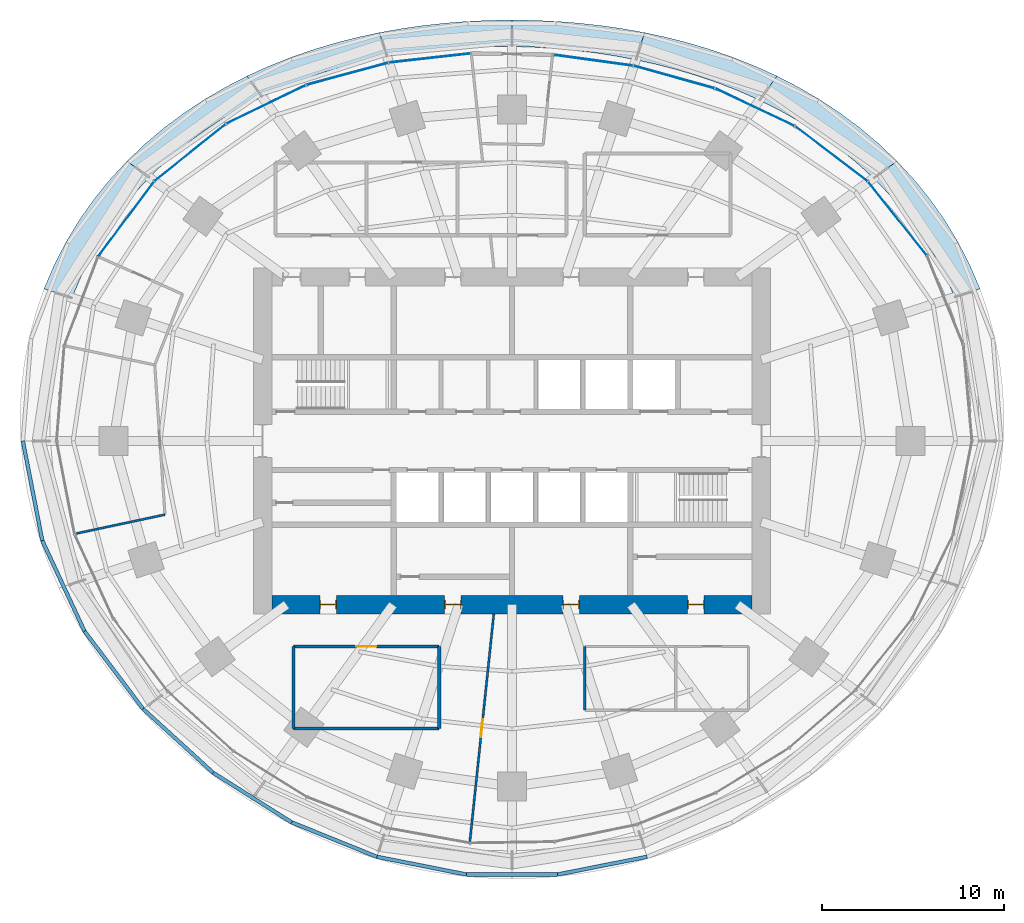
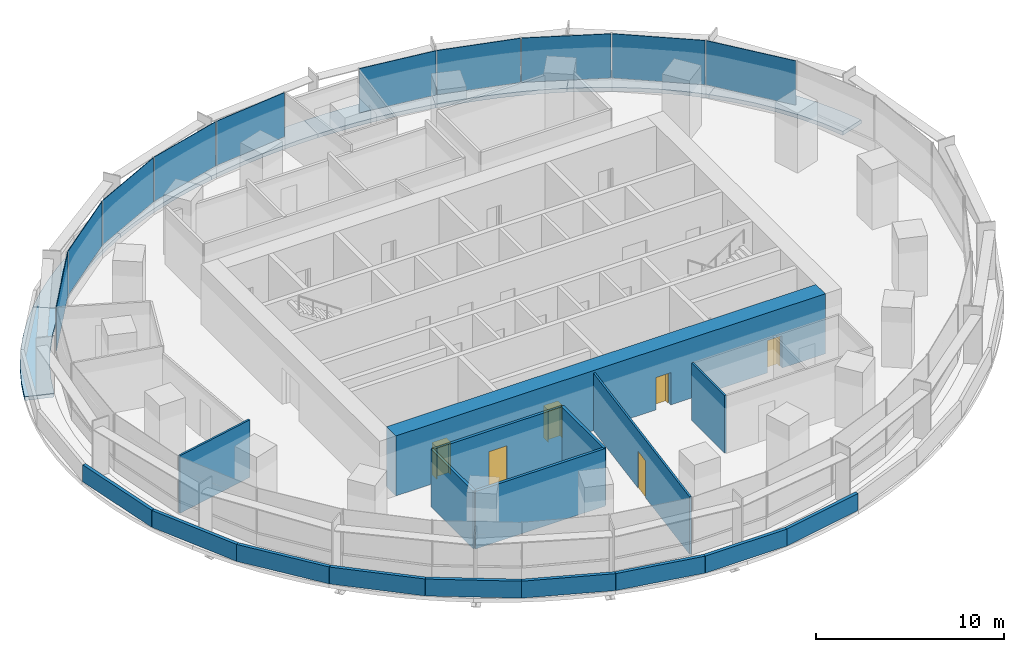
# One storey, part 10 of 15: 17 walls, 10 plates, 8 slabs, 6 doors, 6 openings, 4 elements without a shape of their own.
"""IFC4 building model written with IfcOpenShell, lengths in metres."""

from ifc_helpers import new_model, si_unit, direction, frame, frame_2d, origin, origin_2d, place, context, subcontext, project, spatial, polyline, rectangle, outline, extrude, material, layer, layer_set, type_object, element, fill, aggregate, save


model = new_model("IFC4")

# Units and contexts
model_context = context("Model", 3, precision=1e-05, world=origin(), true_north=direction((0.0, 1.0)))
body_context = subcontext(model_context, "Body", "Model", "MODEL_VIEW")
ifc_project = project(units=[si_unit("LENGTHUNIT", "METRE"), si_unit("AREAUNIT", "SQUARE_METRE"), si_unit("VOLUMEUNIT", "CUBIC_METRE"), si_unit("PLANEANGLEUNIT", "RADIAN"), si_unit("MASSUNIT", "GRAM", prefix="KILO")], contexts=[model_context])

# Site, building, storey
site_placement = place(None, origin())
site = spatial("IfcSite", under=ifc_project, at=site_placement, CompositionType="ELEMENT")
building_placement = place(site_placement, origin())
building = spatial("IfcBuilding", under=site, at=building_placement, Name="Marramba Exchange Tower", CompositionType="ELEMENT")
storey_placement = place(building_placement, frame((0.0, 0.0, 92.39990234375)))
storey = spatial("IfcBuildingStorey", under=building, at=storey_placement, Name="L21", CompositionType="ELEMENT", Elevation=92.39990234375)

# Curtain wall, plates
ifc_material_1 = material(Name="Aluminium framing, bronze anodised", Category="aluminium")
curtain_wall_type = type_object("IfcCurtainWallType", Name="Office ribbon curtain wall", PredefinedType="USERDEFINED", material=ifc_material_1)
curtain_wall_1_placement = place(storey_placement, origin())
curtain_wall_1 = element("IfcCurtainWall", 1, at=curtain_wall_1_placement, inside=storey, type_object=curtain_wall_type, Name="Curtain wall CW4 L21 F01-F05", ObjectType="RIBBON CURTAIN WALL", PredefinedType="USERDEFINED")
ifc_material_2 = material(Name="Laminated double glazed unit 10.76 + 16 + 10.76, bronze tinted", Category="glass")
ifc_layer_1 = layer(ifc_material_2, 0.03759765625)
ifc_layer_set_1 = layer_set([ifc_layer_1], Name="Office ribbon curtain wall panel")
plate_type = type_object("IfcPlateType", Name="Office ribbon curtain wall panel", PredefinedType="CURTAIN_PANEL", material=ifc_layer_set_1)
plate_1_placement = place(storey_placement, frame((21.18212890625, 12.217529296875, 0.860107421875), z_axis=(0.0, 0.0, 1.0), x_axis=(-0.621312004611, 0.783563266703, 0.0)))
plate_1 = element("IfcPlate", 2, at=plate_1_placement, type_object=plate_type, Name="CW4 vision panel", PredefinedType="CURTAIN_PANEL", context=body_context, shape_type="SweptSolid", body=[
    extrude(rectangle(XDim=5.136962890625, YDim=0.03759765625, at=origin_2d()), origin(), (0.0, 0.0, 1.0), 2.8798828125),
])
plate_2_placement = place(storey_placement, frame((17.55224609375, 15.777099609375, 0.860107421875), z_axis=(0.0, 0.0, 1.0), x_axis=(-0.795971748366, 0.60533377223, 0.0)))
plate_2 = element("IfcPlate", 3, at=plate_2_placement, type_object=plate_type, Name="CW4 vision panel", PredefinedType="CURTAIN_PANEL", context=body_context, shape_type="SweptSolid", body=[
    extrude(rectangle(XDim=4.990966796875, YDim=0.03759765625, at=origin_2d()), origin(), (0.0, 0.0, 1.0), 2.8798828125),
])
plate_3_placement = place(storey_placement, frame((13.34423828125, 18.3359375, 0.860107421875), z_axis=(0.0, 0.0, 1.0), x_axis=(-0.904403137485, 0.426678995157, 0.0)))
plate_3 = element("IfcPlate", 4, at=plate_3_placement, type_object=plate_type, Name="CW4 vision panel", PredefinedType="CURTAIN_PANEL", context=body_context, shape_type="SweptSolid", body=[
    extrude(rectangle(XDim=4.793212890625, YDim=0.03759765625, at=origin_2d()), origin(), (0.0, 0.0, 1.0), 2.8798828125),
])
aggregate(curtain_wall_1, [plate_1, plate_2, plate_3])

curtain_wall_2_placement = place(storey_placement, origin())
curtain_wall_2 = element("IfcCurtainWall", 5, at=curtain_wall_2_placement, inside=storey, type_object=curtain_wall_type, Name="Curtain wall CW4 L21 F06-F07", ObjectType="RIBBON CURTAIN WALL", PredefinedType="USERDEFINED")
plate_4_placement = place(storey_placement, frame((8.907470703125, 19.991943359375, 0.860107421875), z_axis=(0.0, 0.0, 1.0), x_axis=(-0.963177845956, 0.268865090816, 0.0)))
plate_4 = element("IfcPlate", 6, at=plate_4_placement, type_object=plate_type, Name="CW4 vision panel", PredefinedType="CURTAIN_PANEL", context=body_context, shape_type="SweptSolid", body=[
    extrude(rectangle(XDim=4.591552734375, YDim=0.03759765625, at=origin_2d()), origin(), (0.0, 0.0, 1.0), 2.8798828125),
])
plate_5_placement = place(storey_placement, frame((4.46337890625, 20.915283203125, 0.860107421875), z_axis=(0.0, 0.0, 1.0), x_axis=(-0.990738212841, 0.135785837319, 0.0)))
plate_5 = element("IfcPlate", 7, at=plate_5_placement, type_object=plate_type, Name="CW4 vision panel", PredefinedType="CURTAIN_PANEL", context=body_context, shape_type="SweptSolid", body=[
    extrude(rectangle(XDim=4.3876953125, YDim=0.03759765625, at=origin_2d()), origin(), (0.0, 0.0, 1.0), 2.8798828125),
])
aggregate(curtain_wall_2, [plate_4, plate_5])

curtain_wall_3_placement = place(storey_placement, origin())
curtain_wall_3 = element("IfcCurtainWall", 8, at=curtain_wall_3_placement, inside=storey, type_object=curtain_wall_type, Name="Curtain wall CW4 L21 F09-F10", ObjectType="RIBBON CURTAIN WALL", PredefinedType="USERDEFINED")
plate_6_placement = place(storey_placement, frame((-4.52587890625, 21.0361328125, 0.860107421875), z_axis=(0.0, 0.0, 1.0), x_axis=(-0.993823395532, -0.110973233233, 0.0)))
plate_6 = element("IfcPlate", 9, at=plate_6_placement, type_object=plate_type, Name="CW4 vision panel", PredefinedType="CURTAIN_PANEL", context=body_context, shape_type="SweptSolid", body=[
    extrude(rectangle(XDim=4.484375, YDim=0.03759765625, at=origin_2d()), origin(), (0.0, 0.0, 1.0), 2.8798828125),
])
plate_7_placement = place(storey_placement, frame((-9.053466796875, 20.16748046875, 0.860107421875), z_axis=(0.0, 0.0, 1.0), x_axis=(-0.965522047176, -0.260321294588, 0.0)))
plate_7 = element("IfcPlate", 10, at=plate_7_placement, type_object=plate_type, Name="CW4 vision panel", PredefinedType="CURTAIN_PANEL", context=body_context, shape_type="SweptSolid", body=[
    extrude(rectangle(XDim=4.642578125, YDim=0.03759765625, at=origin_2d()), origin(), (0.0, 0.0, 1.0), 2.8798828125),
])
aggregate(curtain_wall_3, [plate_6, plate_7])

curtain_wall_4_placement = place(storey_placement, origin())
curtain_wall_4 = element("IfcCurtainWall", 11, at=curtain_wall_4_placement, inside=storey, type_object=curtain_wall_type, Name="Curtain wall CW4 L21 F11-F15", ObjectType="RIBBON CURTAIN WALL", PredefinedType="USERDEFINED")
plate_8_placement = place(storey_placement, frame((-13.52294921875, 18.4853515625, 0.860107421875), z_axis=(0.0, 0.0, 1.0), x_axis=(-0.900223739881, -0.435427626771, 0.0)))
plate_8 = element("IfcPlate", 12, at=plate_8_placement, type_object=plate_type, Name="CW4 vision panel", PredefinedType="CURTAIN_PANEL", context=body_context, shape_type="SweptSolid", body=[
    extrude(rectangle(XDim=4.83056640625, YDim=0.03759765625, at=origin_2d()), origin(), (0.0, 0.0, 1.0), 2.8798828125),
])
plate_9_placement = place(storey_placement, frame((-17.696533203125, 15.8359375, 0.860107421875), z_axis=(0.0, 0.0, 1.0), x_axis=(-0.78117833008, -0.624307950145, 0.0)))
plate_9 = element("IfcPlate", 13, at=plate_9_placement, type_object=plate_type, Name="CW4 vision panel", PredefinedType="CURTAIN_PANEL", context=body_context, shape_type="SweptSolid", body=[
    extrude(rectangle(XDim=4.998291015625, YDim=0.03759765625, at=origin_2d()), origin(), (0.0, 0.0, 1.0), 2.8798828125),
])
plate_10_placement = place(storey_placement, frame((-21.213623046875, 12.1767578125, 0.860107421875), z_axis=(0.0, 0.0, 1.0), x_axis=(-0.597703997504, -0.80171686484, 0.0)))
plate_10 = element("IfcPlate", 14, at=plate_10_placement, type_object=plate_type, Name="CW4 vision panel", PredefinedType="CURTAIN_PANEL", context=body_context, shape_type="SweptSolid", body=[
    extrude(rectangle(XDim=5.116455078125, YDim=0.03759765625, at=origin_2d()), origin(), (0.0, 0.0, 1.0), 2.8798828125),
])
aggregate(curtain_wall_4, [plate_8, plate_9, plate_10])

# Slabs
ifc_material_3 = material(Name="Concrete N40", Category="concrete")
ifc_layer_2 = layer(ifc_material_3, 0.25)
ifc_layer_set_2 = layer_set([ifc_layer_2], Name="Setback roof slab 250")
slab_type = type_object("IfcSlabType", Name="Setback roof slab 250", PredefinedType="ROOF", material=ifc_layer_set_2)
slab_1_placement = place(storey_placement, frame((0.0, 0.0, -0.25)))
element("IfcSlab", 15, at=slab_1_placement, inside=storey, type_object=slab_type, Name="Setback roof slab L21 bay 02 (maintenance access only)", PredefinedType="ROOF", context=body_context, shape_type="SweptSolid", body=[
    extrude(outline(polyline([(22.10107421875, 14.3525390625), (22.9794921875, 13.267333984375), (23.786865234375, 12.1201171875), (24.516357421875, 10.915283203125), (25.16162109375, 9.65869140625), (25.717529296875, 8.356201171875), (24.322998046875, 7.903076171875), (23.771484375, 9.125), (23.135009765625, 10.30029296875), (22.419677734375, 11.42333984375), (21.632080078125, 12.4892578125), (20.779541015625, 13.494384765625), (19.869384765625, 14.43603515625), (21.158447265625, 15.37255859375), (22.10107421875, 14.3525390625)])), origin(), (0.0, 0.0, 1.0), 0.25),
])
slab_2_placement = place(storey_placement, frame((0.0, 0.0, -0.25)))
element("IfcSlab", 16, at=slab_2_placement, inside=storey, type_object=slab_type, Name="Setback roof slab L21 bay 03 (maintenance access only)", PredefinedType="ROOF", context=body_context, shape_type="SweptSolid", body=[
    extrude(outline(polyline([(14.563720703125, 20.04541015625), (15.740478515625, 19.437744140625), (16.89453125, 18.763427734375), (18.020263671875, 18.020263671875), (19.11083984375, 17.20751953125), (20.159423828125, 16.32470703125), (21.158447265625, 15.37255859375), (19.869384765625, 14.43603515625), (18.9091796875, 15.3125), (17.90625, 16.122802734375), (16.86767578125, 16.86767578125), (15.800048828125, 17.5478515625), (14.70947265625, 18.164794921875), (13.6015625, 18.720947265625), (14.563720703125, 20.04541015625)])), origin(), (0.0, 0.0, 1.0), 0.25),
])
slab_3_placement = place(storey_placement, frame((0.0, 0.0, -0.25)))
element("IfcSlab", 17, at=slab_3_placement, inside=storey, type_object=slab_type, Name="Setback roof slab L21 bay 04 (maintenance access only)", PredefinedType="ROOF", context=body_context, shape_type="SweptSolid", body=[
    extrude(outline(polyline([(8.5107421875, 22.1708984375), (9.7314453125, 21.857421875), (10.9501953125, 21.4912109375), (12.164306640625, 21.069091796875), (13.3701171875, 20.588134765625), (14.563720703125, 20.04541015625), (13.6015625, 18.720947265625), (12.48095703125, 19.218994140625), (11.3515625, 19.66162109375), (10.217041015625, 20.05224609375), (9.079833984375, 20.393798828125), (7.94189453125, 20.689453125), (6.804443359375, 20.942138671875), (7.289794921875, 22.435302734375), (8.5107421875, 22.1708984375)])), origin(), (0.0, 0.0, 1.0), 0.25),
])
slab_4_placement = place(storey_placement, frame((0.0, 0.0, -0.25)))
element("IfcSlab", 18, at=slab_4_placement, inside=storey, type_object=slab_type, Name="Setback roof slab L21 bay 05 (maintenance access only)", PredefinedType="ROOF", context=body_context, shape_type="SweptSolid", body=[
    extrude(outline(polyline([(1.211181640625, 23.109619140625), (2.423095703125, 23.053955078125), (3.636474609375, 22.96044921875), (4.85205078125, 22.827392578125), (6.06982421875, 22.6533203125), (7.289794921875, 22.435302734375), (6.804443359375, 20.942138671875), (5.668212890625, 21.154296875), (4.533447265625, 21.328369140625), (3.39990234375, 21.46630859375), (2.26708984375, 21.5693359375), (1.134033203125, 21.63818359375), (0.0, 21.673095703125), (0.0, 23.1279296875), (1.211181640625, 23.109619140625)])), origin(), (0.0, 0.0, 1.0), 0.25),
])
slab_5_placement = place(storey_placement, frame((0.0, 0.0, -0.25)))
element("IfcSlab", 19, at=slab_5_placement, inside=storey, type_object=slab_type, Name="Setback roof slab L21 bay 06 (maintenance access only)", PredefinedType="ROOF", context=body_context, shape_type="SweptSolid", body=[
    extrude(outline(polyline([(-7.289794921875, 22.435302734375), (-6.06982421875, 22.6533203125), (-4.85205078125, 22.827392578125), (-3.636474609375, 22.96044921875), (-2.423095703125, 23.053955078125), (-1.211181640625, 23.109619140625), (0.0, 23.1279296875), (0.0, 21.673095703125), (-1.135986328125, 21.673828125), (-2.2744140625, 21.6396484375), (-3.416259765625, 21.5693359375), (-4.5615234375, 21.460693359375), (-5.71044921875, 21.31201171875), (-6.8623046875, 21.1201171875), (-7.289794921875, 22.435302734375)])), origin(), (0.0, 0.0, 1.0), 0.25),
])
slab_6_placement = place(storey_placement, frame((0.0, 0.0, -0.25)))
element("IfcSlab", 20, at=slab_6_placement, inside=storey, type_object=slab_type, Name="Setback roof slab L21 bay 07 (maintenance access only)", PredefinedType="ROOF", context=body_context, shape_type="SweptSolid", body=[
    extrude(outline(polyline([(-13.3701171875, 20.588134765625), (-12.164306640625, 21.069091796875), (-10.9501953125, 21.4912109375), (-9.7314453125, 21.857421875), (-8.5107421875, 22.1708984375), (-7.289794921875, 22.435302734375), (-6.8623046875, 21.1201171875), (-8.01611328125, 20.8828125), (-9.170166015625, 20.5966796875), (-10.322509765625, 20.2587890625), (-11.4697265625, 19.8662109375), (-12.60888671875, 19.415771484375), (-13.7353515625, 18.905029296875), (-14.563720703125, 20.04541015625), (-13.3701171875, 20.588134765625)])), origin(), (0.0, 0.0, 1.0), 0.25),
])
slab_7_placement = place(storey_placement, frame((0.0, 0.0, -0.25)))
element("IfcSlab", 21, at=slab_7_placement, inside=storey, type_object=slab_type, Name="Setback roof slab L21 bay 08 (maintenance access only)", PredefinedType="ROOF", context=body_context, shape_type="SweptSolid", body=[
    extrude(outline(polyline([(-21.158447265625, 15.37255859375), (-20.159423828125, 16.32470703125), (-19.11083984375, 17.20751953125), (-18.020263671875, 18.020263671875), (-16.89453125, 18.763427734375), (-15.740478515625, 19.437744140625), (-14.563720703125, 20.04541015625), (-13.7353515625, 18.905029296875), (-14.8447265625, 18.331787109375), (-15.931640625, 17.69384765625), (-16.989990234375, 16.989990234375), (-18.013916015625, 16.2197265625), (-18.996826171875, 15.38330078125), (-19.931884765625, 14.4814453125), (-21.158447265625, 15.37255859375)])), origin(), (0.0, 0.0, 1.0), 0.25),
])
slab_8_placement = place(storey_placement, frame((0.0, 0.0, -0.25)))
element("IfcSlab", 22, at=slab_8_placement, inside=storey, type_object=slab_type, Name="Setback roof slab L21 bay 09 (maintenance access only)", PredefinedType="ROOF", context=body_context, shape_type="SweptSolid", body=[
    extrude(outline(polyline([(-25.16162109375, 9.65869140625), (-24.516357421875, 10.915283203125), (-23.786865234375, 12.1201171875), (-22.9794921875, 13.267333984375), (-22.10107421875, 14.3525390625), (-21.158447265625, 15.37255859375), (-19.931884765625, 14.4814453125), (-20.8125, 13.515869140625), (-21.632080078125, 12.4892578125), (-22.384033203125, 11.4052734375), (-23.0625, 10.26806640625), (-23.661865234375, 9.0830078125), (-24.177734375, 7.855712890625), (-25.717529296875, 8.356201171875), (-25.16162109375, 9.65869140625)])), origin(), (0.0, 0.0, 1.0), 0.25),
])

# Wall
ifc_material_4 = material(Name="Plasterboard on staggered double steel studs, acoustic insulation", Category="steel")
ifc_layer_3 = layer(ifc_material_4, 0.169921875)
ifc_layer_set_3 = layer_set([ifc_layer_3], Name="Acoustic partition 170")
wall_type_1 = type_object("IfcWallType", Name="Acoustic partition 170", PredefinedType="PARTITIONING", material=ifc_layer_set_3)
wall_1_placement = place(storey_placement, frame((-12.0, -15.800048828125, 0.0), z_axis=(0.0, 0.0, 1.0), x_axis=(0.0, 1.0, 0.0)))
element("IfcWall", 23, at=wall_1_placement, inside=storey, type_object=wall_type_1, Name="Acoustic partition L21 02", PredefinedType="PARTITIONING", context=body_context, shape_type="SweptSolid", body=[
    extrude(rectangle(XDim=4.5, YDim=0.169921875, at=frame_2d((2.25, 0.0))), origin(), (0.0, 0.0, 1.0), 3.739990234375),
])

# Wall, opening, door
wall_2_placement = place(storey_placement, frame((-12.0, -11.300048828125, 0.0), z_axis=(0.0, 0.0, 1.0), x_axis=(1.0, 0.0, 0.0)))
wall_2 = element("IfcWall", 24, at=wall_2_placement, inside=storey, type_object=wall_type_1, Name="Acoustic partition L21 03", PredefinedType="PARTITIONING", context=body_context, shape_type="SweptSolid", body=[
    extrude(rectangle(XDim=8.0, YDim=0.169921875, at=frame_2d((4.0, 0.0))), origin(), (0.0, 0.0, 1.0), 3.739990234375),
])
opening_1_placement = place(wall_2_placement, frame((3.449951171875, 0.0, 0.0)))
opening_1 = element("IfcOpeningElement", 25, at=opening_1_placement, cuts=wall_2, Name="Opening D15", PredefinedType="OPENING", context=body_context, shape_type="SweptSolid", body=[
    extrude(rectangle(XDim=1.10009765625, YDim=2.39990234375, at=frame_2d((0.550048828125, 1.199951171875))), frame((0.0, 0.094970703125, 0.0), z_axis=(0.0, -1.0, 0.0), x_axis=(1.0, 0.0, 0.0)), (0.0, 0.0, 1.0), 0.18994140625),
])
ifc_material_5 = material(Name="Timber door", Category="wood")
door_type_1 = type_object("IfcDoorType", Name="Glazed meeting room door 1100x2400", OperationType="SINGLE_SWING_LEFT", PredefinedType="DOOR", material=ifc_material_5)
door_1_placement = place(opening_1_placement, frame((1.10009765625, 0.0, 0.0), z_axis=(0.0, 0.0, 1.0), x_axis=(-1.0, 0.0, 0.0)))
door_1 = element("IfcDoor", 26, at=door_1_placement, inside=storey, type_object=door_type_1, Name="D15 Meeting Room 2 L21", OperationType="SINGLE_SWING_RIGHT", OverallHeight=2.39990234375, OverallWidth=1.10009765625, PredefinedType="DOOR", context=body_context, shape_type="SweptSolid", body=[
    extrude(rectangle(XDim=1.10009765625, YDim=2.39990234375, at=frame_2d((0.550048828125, 1.199951171875))), frame((0.0, 0.025146484375, 0.0), z_axis=(0.0, -1.0, 0.0), x_axis=(1.0, 0.0, 0.0)), (0.0, 0.0, 1.0), 0.050048828125),
])
fill(opening_1, door_1)

# Walls
wall_3_placement = place(storey_placement, frame((-4.0, -15.800048828125, 0.0), z_axis=(0.0, 0.0, 1.0), x_axis=(-1.0, 0.0, 0.0)))
element("IfcWall", 27, at=wall_3_placement, inside=storey, type_object=wall_type_1, Name="Acoustic partition L21 04", PredefinedType="PARTITIONING", context=body_context, shape_type="SweptSolid", body=[
    extrude(rectangle(XDim=8.0, YDim=0.169921875, at=frame_2d((4.0, 0.0))), origin(), (0.0, 0.0, 1.0), 3.739990234375),
])
wall_4_placement = place(storey_placement, frame((-4.0, -11.300048828125, 0.0), z_axis=(0.0, 0.0, 1.0), x_axis=(0.0, -1.0, 0.0)))
element("IfcWall", 28, at=wall_4_placement, inside=storey, type_object=wall_type_1, Name="Acoustic partition L21 05", PredefinedType="PARTITIONING", context=body_context, shape_type="SweptSolid", body=[
    extrude(rectangle(XDim=4.5, YDim=0.169921875, at=frame_2d((2.25, 0.0))), origin(), (0.0, 0.0, 1.0), 3.739990234375),
])

# Wall, openings, doors
ifc_material_6 = material(Name="Concrete N50", Category="concrete")
ifc_layer_4 = layer(ifc_material_6, 1.0)
ifc_layer_set_4 = layer_set([ifc_layer_4], Name="Core wall 1000")
wall_type_2 = type_object("IfcWallType", Name="Core wall 1000", PredefinedType="SHEAR", material=ifc_layer_set_4)
wall_5_placement = place(storey_placement, frame((-13.199951171875, -9.0, 0.0), z_axis=(0.0, 0.0, 1.0), x_axis=(1.0, 0.0, 0.0)))
wall_5 = element("IfcWall", 29, at=wall_5_placement, inside=storey, type_object=wall_type_2, Name="Core wall S L21", PredefinedType="SHEAR", context=body_context, shape_type="SweptSolid", body=[
    extrude(rectangle(XDim=26.39990234375, YDim=1.0, at=frame_2d((13.199951171875, 0.0))), origin(), (0.0, 0.0, 1.0), 3.900146484375),
])
opening_2_placement = place(wall_5_placement, frame((2.64990234375, 0.0, 0.0)))
opening_2 = element("IfcOpeningElement", 30, at=opening_2_placement, cuts=wall_5, Name="Opening D5", PredefinedType="OPENING", context=body_context, shape_type="SweptSolid", body=[
    extrude(rectangle(XDim=0.89990234375, YDim=2.10009765625, at=frame_2d((0.449951171875, 1.050048828125))), frame((0.0, 0.510009765625, 0.0), z_axis=(0.0, -1.0, 0.0), x_axis=(1.0, 0.0, 0.0)), (0.0, 0.0, 1.0), 1.02001953125),
])
opening_3_placement = place(wall_5_placement, frame((9.5, 0.0, 0.0)))
opening_3 = element("IfcOpeningElement", 31, at=opening_3_placement, cuts=wall_5, Name="Opening D5", PredefinedType="OPENING", context=body_context, shape_type="SweptSolid", body=[
    extrude(rectangle(XDim=0.89990234375, YDim=2.10009765625, at=frame_2d((0.449951171875, 1.050048828125))), frame((0.0, 0.510009765625, 0.0), z_axis=(0.0, -1.0, 0.0), x_axis=(1.0, 0.0, 0.0)), (0.0, 0.0, 1.0), 1.02001953125),
])
opening_4_placement = place(wall_5_placement, frame((16.0, 0.0, 0.0)))
opening_4 = element("IfcOpeningElement", 32, at=opening_4_placement, cuts=wall_5, Name="Opening D5", PredefinedType="OPENING", context=body_context, shape_type="SweptSolid", body=[
    extrude(rectangle(XDim=0.89990234375, YDim=2.10009765625, at=frame_2d((0.449951171875, 1.050048828125))), frame((0.0, 0.510009765625, 0.0), z_axis=(0.0, -1.0, 0.0), x_axis=(1.0, 0.0, 0.0)), (0.0, 0.0, 1.0), 1.02001953125),
])
opening_5_placement = place(wall_5_placement, frame((22.85009765625, 0.0, 0.0)))
opening_5 = element("IfcOpeningElement", 33, at=opening_5_placement, cuts=wall_5, Name="Opening D5", PredefinedType="OPENING", context=body_context, shape_type="SweptSolid", body=[
    extrude(rectangle(XDim=0.89990234375, YDim=2.10009765625, at=frame_2d((0.449951171875, 1.050048828125))), frame((0.0, 0.510009765625, 0.0), z_axis=(0.0, -1.0, 0.0), x_axis=(1.0, 0.0, 0.0)), (0.0, 0.0, 1.0), 1.02001953125),
])
ifc_material_7 = material(Name="Steel-framed door", Category="steel")
door_type_2 = type_object("IfcDoorType", Name="Service door 900x2100", OperationType="SINGLE_SWING_LEFT", PredefinedType="DOOR", material=ifc_material_7)
door_2_placement = place(opening_2_placement, origin())
door_2 = element("IfcDoor", 34, at=door_2_placement, inside=storey, type_object=door_type_2, Name="D5 ahu L21", OperationType="SINGLE_SWING_LEFT", OverallHeight=2.10009765625, OverallWidth=0.89990234375, PredefinedType="DOOR", context=body_context, shape_type="SweptSolid", body=[
    extrude(rectangle(XDim=0.81982421875, YDim=2.06005859375, at=frame_2d((0.449951171875, 1.030029296875))), frame((0.0, 0.02490234375, 0.0), z_axis=(0.0, -1.0, 0.0), x_axis=(1.0, 0.0, 0.0)), (0.0, 0.0, 1.0), 0.050048828125),
    extrude(rectangle(XDim=0.04, YDim=2.10009765625, at=frame_2d((0.02001953125, 1.050048828125))), frame((0.0, 0.25, 0.0), z_axis=(0.0, -1.0, 0.0), x_axis=(1.0, 0.0, 0.0)), (0.0, 0.0, 1.0), 0.5),
    extrude(rectangle(XDim=0.04, YDim=2.10009765625, at=frame_2d((0.8798828125, 1.050048828125))), frame((0.0, 0.25, 0.0), z_axis=(0.0, -1.0, 0.0), x_axis=(1.0, 0.0, 0.0)), (0.0, 0.0, 1.0), 0.5),
    extrude(rectangle(XDim=0.81982421875, YDim=0.04, at=frame_2d((0.449951171875, 2.080078125))), frame((0.0, 0.25, 0.0), z_axis=(0.0, -1.0, 0.0), x_axis=(1.0, 0.0, 0.0)), (0.0, 0.0, 1.0), 0.5),
])
fill(opening_2, door_2)
door_3_placement = place(opening_3_placement, origin())
door_3 = element("IfcDoor", 35, at=door_3_placement, inside=storey, type_object=door_type_2, Name="D5 store L21", OperationType="SINGLE_SWING_RIGHT", OverallHeight=2.10009765625, OverallWidth=0.89990234375, PredefinedType="DOOR", context=body_context, shape_type="SweptSolid", body=[
    extrude(rectangle(XDim=0.81982421875, YDim=2.06005859375, at=frame_2d((0.449951171875, 1.030029296875))), frame((0.0, 0.02490234375, 0.0), z_axis=(0.0, -1.0, 0.0), x_axis=(1.0, 0.0, 0.0)), (0.0, 0.0, 1.0), 0.050048828125),
    extrude(rectangle(XDim=0.04, YDim=2.10009765625, at=frame_2d((0.02001953125, 1.050048828125))), frame((0.0, 0.25, 0.0), z_axis=(0.0, -1.0, 0.0), x_axis=(1.0, 0.0, 0.0)), (0.0, 0.0, 1.0), 0.5),
    extrude(rectangle(XDim=0.04, YDim=2.10009765625, at=frame_2d((0.8798828125, 1.050048828125))), frame((0.0, 0.25, 0.0), z_axis=(0.0, -1.0, 0.0), x_axis=(1.0, 0.0, 0.0)), (0.0, 0.0, 1.0), 0.5),
    extrude(rectangle(XDim=0.81982421875, YDim=0.04, at=frame_2d((0.449951171875, 2.080078125))), frame((0.0, 0.25, 0.0), z_axis=(0.0, -1.0, 0.0), x_axis=(1.0, 0.0, 0.0)), (0.0, 0.0, 1.0), 0.5),
])
fill(opening_3, door_3)
door_4_placement = place(opening_4_placement, origin())
door_4 = element("IfcDoor", 36, at=door_4_placement, inside=storey, type_object=door_type_2, Name="D5 switch L21", OperationType="SINGLE_SWING_RIGHT", OverallHeight=2.10009765625, OverallWidth=0.89990234375, PredefinedType="DOOR", context=body_context, shape_type="SweptSolid", body=[
    extrude(rectangle(XDim=0.81982421875, YDim=2.06005859375, at=frame_2d((0.449951171875, 1.030029296875))), frame((0.0, 0.02490234375, 0.0), z_axis=(0.0, -1.0, 0.0), x_axis=(1.0, 0.0, 0.0)), (0.0, 0.0, 1.0), 0.050048828125),
    extrude(rectangle(XDim=0.04, YDim=2.10009765625, at=frame_2d((0.02001953125, 1.050048828125))), frame((0.0, 0.25, 0.0), z_axis=(0.0, -1.0, 0.0), x_axis=(1.0, 0.0, 0.0)), (0.0, 0.0, 1.0), 0.5),
    extrude(rectangle(XDim=0.04, YDim=2.10009765625, at=frame_2d((0.8798828125, 1.050048828125))), frame((0.0, 0.25, 0.0), z_axis=(0.0, -1.0, 0.0), x_axis=(1.0, 0.0, 0.0)), (0.0, 0.0, 1.0), 0.5),
    extrude(rectangle(XDim=0.81982421875, YDim=0.04, at=frame_2d((0.449951171875, 2.080078125))), frame((0.0, 0.25, 0.0), z_axis=(0.0, -1.0, 0.0), x_axis=(1.0, 0.0, 0.0)), (0.0, 0.0, 1.0), 0.5),
])
fill(opening_4, door_4)
door_5_placement = place(opening_5_placement, origin())
door_5 = element("IfcDoor", 37, at=door_5_placement, inside=storey, type_object=door_type_2, Name="D5 cstore L21", OperationType="SINGLE_SWING_RIGHT", OverallHeight=2.10009765625, OverallWidth=0.89990234375, PredefinedType="DOOR", context=body_context, shape_type="SweptSolid", body=[
    extrude(rectangle(XDim=0.81982421875, YDim=2.06005859375, at=frame_2d((0.449951171875, 1.030029296875))), frame((0.0, 0.02490234375, 0.0), z_axis=(0.0, -1.0, 0.0), x_axis=(1.0, 0.0, 0.0)), (0.0, 0.0, 1.0), 0.050048828125),
    extrude(rectangle(XDim=0.04, YDim=2.10009765625, at=frame_2d((0.02001953125, 1.050048828125))), frame((0.0, 0.25, 0.0), z_axis=(0.0, -1.0, 0.0), x_axis=(1.0, 0.0, 0.0)), (0.0, 0.0, 1.0), 0.5),
    extrude(rectangle(XDim=0.04, YDim=2.10009765625, at=frame_2d((0.8798828125, 1.050048828125))), frame((0.0, 0.25, 0.0), z_axis=(0.0, -1.0, 0.0), x_axis=(1.0, 0.0, 0.0)), (0.0, 0.0, 1.0), 0.5),
    extrude(rectangle(XDim=0.81982421875, YDim=0.04, at=frame_2d((0.449951171875, 2.080078125))), frame((0.0, 0.25, 0.0), z_axis=(0.0, -1.0, 0.0), x_axis=(1.0, 0.0, 0.0)), (0.0, 0.0, 1.0), 0.5),
])
fill(opening_5, door_5)

# Wall
ifc_material_8 = material(Name="Plasterboard on steel studs", Category="steel")
ifc_layer_5 = layer(ifc_material_8, 0.1201171875)
ifc_layer_set_5 = layer_set([ifc_layer_5], Name="Partition 120")
wall_type_3 = type_object("IfcWallType", Name="Partition 120", PredefinedType="PARTITIONING", material=ifc_layer_set_5)
wall_6_placement = place(storey_placement, frame((-23.96044921875, -5.093017578125, 0.0), z_axis=(0.0, 0.0, 1.0), x_axis=(0.978149046495, 0.207904888932, 0.0)))
element("IfcWall", 38, at=wall_6_placement, inside=storey, type_object=wall_type_3, Name="Partition L21 01", PredefinedType="PARTITIONING", context=body_context, shape_type="SweptSolid", body=[
    extrude(rectangle(XDim=5.000244140625, YDim=0.1201171875, at=frame_2d((2.5, 0.0))), origin(), (0.0, 0.0, 1.0), 3.739990234375),
])

# Wall, opening, door
wall_7_placement = place(storey_placement, frame((-2.314453125, -22.020751953125, 0.0), z_axis=(0.0, 0.0, 1.0), x_axis=(0.104523271081, 0.994522441075, 0.0)))
wall_7 = element("IfcWall", 39, at=wall_7_placement, inside=storey, type_object=wall_type_3, Name="Partition L21 06", PredefinedType="PARTITIONING", context=body_context, shape_type="SweptSolid", body=[
    extrude(rectangle(XDim=12.589599609375, YDim=0.1201171875, at=frame_2d((6.294921875, 0.0))), origin(), (0.0, 0.0, 1.0), 3.739990234375),
])
opening_6_placement = place(wall_7_placement, frame((5.77001953125, 0.0, 0.0)))
opening_6 = element("IfcOpeningElement", 40, at=opening_6_placement, cuts=wall_7, Name="Opening D9", PredefinedType="OPENING", context=body_context, shape_type="SweptSolid", body=[
    extrude(rectangle(XDim=1.0, YDim=2.39990234375, at=frame_2d((0.5, 1.199951171875))), frame((0.0, 0.070068359375, 0.0), z_axis=(0.0, -1.0, 0.0), x_axis=(1.0, 0.0, 0.0)), (0.0, 0.0, 1.0), 0.14013671875),
])
door_type_3 = type_object("IfcDoorType", Name="Room door 1000x2400", OperationType="SINGLE_SWING_LEFT", PredefinedType="DOOR", material=ifc_material_5)
door_6_placement = place(opening_6_placement, origin())
door_6 = element("IfcDoor", 41, at=door_6_placement, inside=storey, type_object=door_type_3, Name="D9 Issuer Services Office L21", OperationType="SINGLE_SWING_RIGHT", OverallHeight=2.39990234375, OverallWidth=1.0, PredefinedType="DOOR", context=body_context, shape_type="SweptSolid", body=[
    extrude(rectangle(XDim=1.0, YDim=2.39990234375, at=frame_2d((0.5, 1.199951171875))), frame((0.0, 0.02490234375, 0.0), z_axis=(0.0, -1.0, 0.0), x_axis=(1.0, 0.0, 0.0)), (0.0, 0.0, 1.0), 0.050048828125),
])
fill(opening_6, door_6)

# Walls
wall_8_placement = place(storey_placement, frame((4.0, -14.800048828125, 0.0), z_axis=(0.0, 0.0, 1.0), x_axis=(0.0, 1.0, 0.0)))
element("IfcWall", 42, at=wall_8_placement, inside=storey, type_object=wall_type_3, Name="Partition L21 07", PredefinedType="PARTITIONING", context=body_context, shape_type="SweptSolid", body=[
    extrude(rectangle(XDim=3.5, YDim=0.1201171875, at=frame_2d((1.75, 0.0))), origin(), (0.0, 0.0, 1.0), 3.739990234375),
])
ifc_layer_6 = layer(ifc_material_3, 0.199951171875)
ifc_layer_set_6 = layer_set([ifc_layer_6], Name="Roof parapet 200")
wall_type_4 = type_object("IfcWallType", Name="Roof parapet 200", PredefinedType="PARAPET", material=ifc_layer_set_6)
wall_9_placement = place(storey_placement, frame((-26.8798828125, 0.0, 0.0), z_axis=(0.0, 0.0, 1.0), x_axis=(0.191485729296, -0.981495397583, 0.0)))
element("IfcWall", 43, at=wall_9_placement, inside=storey, type_object=wall_type_4, Name="Parapet L21 F16", PredefinedType="PARAPET", context=body_context, shape_type="SweptSolid", body=[
    extrude(rectangle(XDim=5.589599609375, YDim=0.199951171875, at=frame_2d((2.794921875, 0.0))), origin(), (0.0, 0.0, 1.0), 1.10009765625),
])
wall_10_placement = place(storey_placement, frame((-25.8095703125, -5.486083984375, 0.0), z_axis=(0.0, 0.0, 1.0), x_axis=(0.422500542985, -0.906362670887, 0.0)))
element("IfcWall", 44, at=wall_10_placement, inside=storey, type_object=wall_type_4, Name="Parapet L21 F17", PredefinedType="PARAPET", context=body_context, shape_type="SweptSolid", body=[
    extrude(rectangle(XDim=5.486572265625, YDim=0.199951171875, at=frame_2d((2.7431640625, 0.0))), origin(), (0.0, 0.0, 1.0), 1.10009765625),
])
wall_11_placement = place(storey_placement, frame((-23.491455078125, -10.458984375, 0.0), z_axis=(0.0, 0.0, 1.0), x_axis=(0.602152771338, -0.798380886526, 0.0)))
element("IfcWall", 45, at=wall_11_placement, inside=storey, type_object=wall_type_4, Name="Parapet L21 F18", PredefinedType="PARAPET", context=body_context, shape_type="SweptSolid", body=[
    extrude(rectangle(XDim=5.347412109375, YDim=0.199951171875, at=frame_2d((2.673828125, 0.0))), origin(), (0.0, 0.0, 1.0), 1.10009765625),
])
wall_12_placement = place(storey_placement, frame((-20.271484375, -14.728271484375, 0.0), z_axis=(0.0, 0.0, 1.0), x_axis=(0.738993586069, -0.673712460735, 0.0)))
element("IfcWall", 46, at=wall_12_placement, inside=storey, type_object=wall_type_4, Name="Parapet L21 F19", PredefinedType="PARAPET", context=body_context, shape_type="SweptSolid", body=[
    extrude(rectangle(XDim=5.20947265625, YDim=0.199951171875, at=frame_2d((2.604736328125, 0.0))), origin(), (0.0, 0.0, 1.0), 1.10009765625),
])
wall_13_placement = place(storey_placement, frame((-16.421630859375, -18.238037109375, 0.0), z_axis=(0.0, 0.0, 1.0), x_axis=(0.845442322204, -0.53406673724, 0.0)))
element("IfcWall", 47, at=wall_13_placement, inside=storey, type_object=wall_type_4, Name="Parapet L21 F20", PredefinedType="PARAPET", context=body_context, shape_type="SweptSolid", body=[
    extrude(rectangle(XDim=5.106689453125, YDim=0.199951171875, at=frame_2d((2.55322265625, 0.0))), origin(), (0.0, 0.0, 1.0), 1.10009765625),
])
wall_14_placement = place(storey_placement, frame((-12.104248046875, -20.96533203125, 0.0), z_axis=(0.0, 0.0, 1.0), x_axis=(0.927216633088, -0.374525453507, 0.0)))
element("IfcWall", 48, at=wall_14_placement, inside=storey, type_object=wall_type_4, Name="Parapet L21 F21", PredefinedType="PARAPET", context=body_context, shape_type="SweptSolid", body=[
    extrude(rectangle(XDim=5.04541015625, YDim=0.199951171875, at=frame_2d((2.522705078125, 0.0))), origin(), (0.0, 0.0, 1.0), 1.10009765625),
])
wall_15_placement = place(storey_placement, frame((-7.426025390625, -22.85498046875, 0.0), z_axis=(0.0, 0.0, 1.0), x_axis=(0.980988422426, -0.194066264628, 0.0)))
element("IfcWall", 49, at=wall_15_placement, inside=storey, type_object=wall_type_4, Name="Parapet L21 F22", PredefinedType="PARAPET", context=body_context, shape_type="SweptSolid", body=[
    extrude(rectangle(XDim=5.01708984375, YDim=0.199951171875, at=frame_2d((2.508544921875, 0.0))), origin(), (0.0, 0.0, 1.0), 1.10009765625),
])
wall_16_placement = place(storey_placement, frame((-2.50439453125, -23.82861328125, 0.0), z_axis=(0.0, 0.0, 1.0), x_axis=(1.0, 0.0, 0.0)))
element("IfcWall", 50, at=wall_16_placement, inside=storey, type_object=wall_type_4, Name="Parapet L21 F23", PredefinedType="PARAPET", context=body_context, shape_type="SweptSolid", body=[
    extrude(rectangle(XDim=5.0087890625, YDim=0.199951171875, at=frame_2d((2.50439453125, 0.0))), origin(), (0.0, 0.0, 1.0), 1.10009765625),
])
wall_17_placement = place(storey_placement, frame((2.50439453125, -23.82861328125, 0.0), z_axis=(0.0, 0.0, 1.0), x_axis=(0.980988422426, 0.194066264628, 0.0)))
element("IfcWall", 51, at=wall_17_placement, inside=storey, type_object=wall_type_4, Name="Parapet L21 F24", PredefinedType="PARAPET", context=body_context, shape_type="SweptSolid", body=[
    extrude(rectangle(XDim=5.01708984375, YDim=0.199951171875, at=frame_2d((2.508544921875, 0.0))), origin(), (0.0, 0.0, 1.0), 1.10009765625),
])

save(model, "model.ifc")
